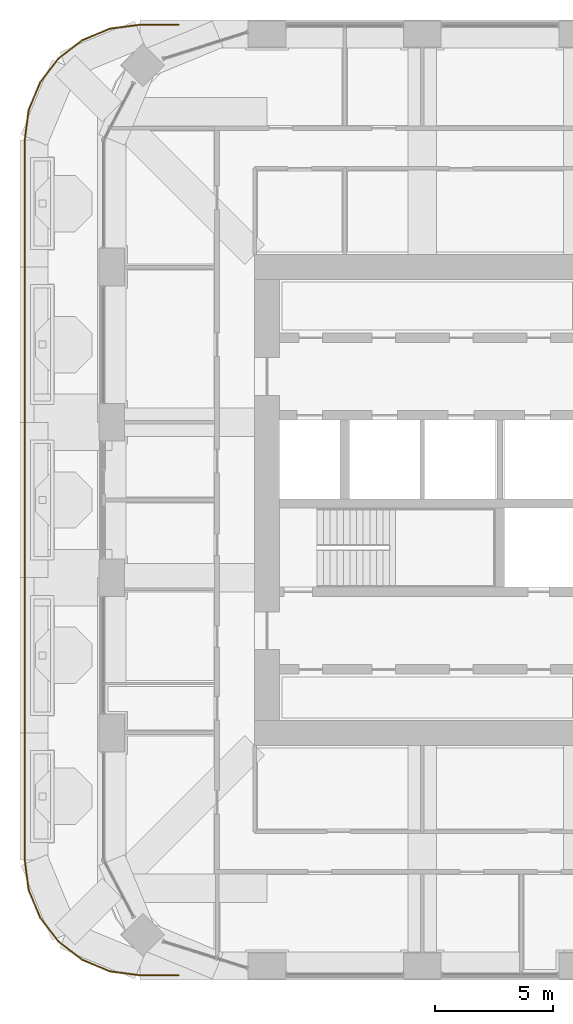
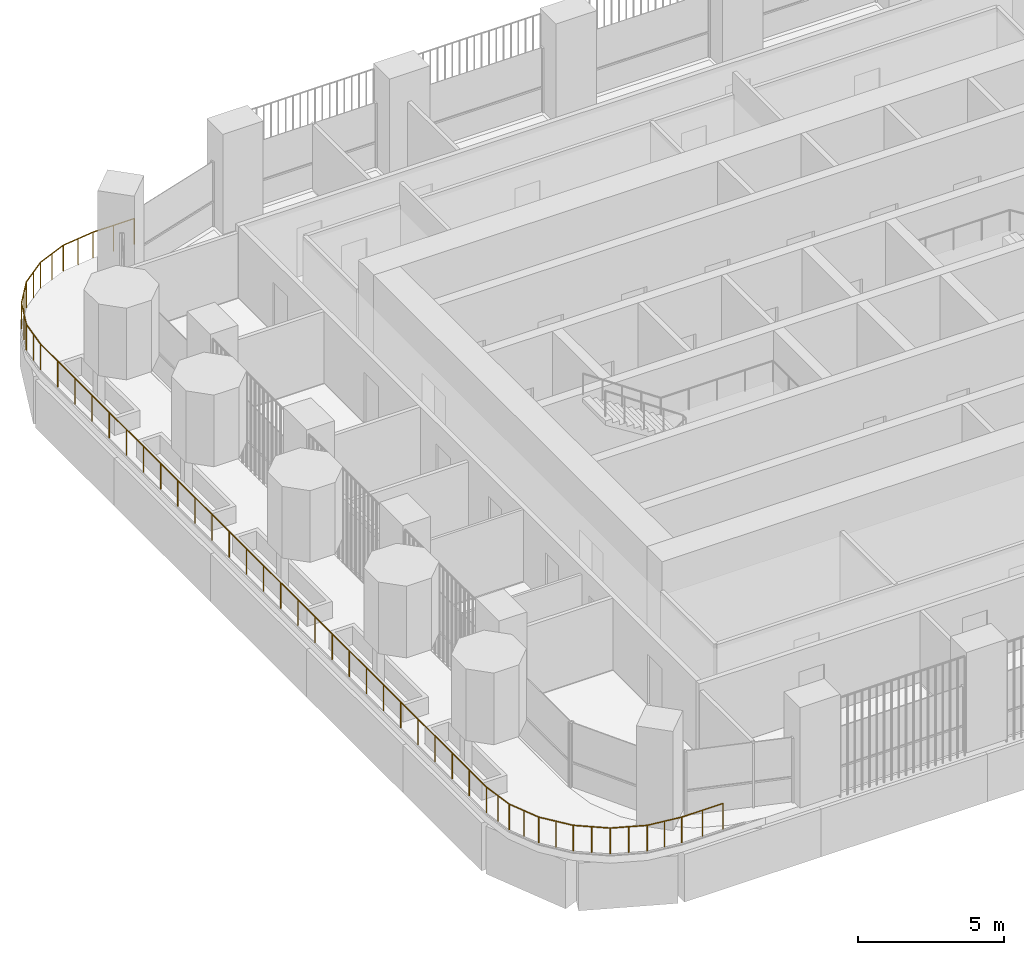
# One storey, part 19 of 24: 1 railing.
"""IFC4 building model written with IfcOpenShell, lengths in metres."""

import ifcopenshell
import ifcopenshell.guid

model = None  # the IFC model being written
_history = None  # IfcOwnerHistory: only IFC2X3 demands one
_inside = {}  # id of a spatial element -> (the spatial element, [elements in it])
_under = {}  # id of a project, library or spatial element -> (it, [spatial elements below it])
_declared = {}  # id of a project -> (the project, [libraries it declares])
_typed = {}  # id of a type object -> (the type object, [elements of that type])
_made_of = {}  # id of a material, layer set ... -> (it, [elements and type objects made of it])


def new_model(schema):
    """Start an empty IFC model of exactly this schema.

    Asked for "IFC4X3", IfcOpenShell would pick the latest addendum, in which some entities
    have other attributes; the version numbers below select the first issue.
    IFC2X3 requires an IfcOwnerHistory on every rooted entity: one is made here for all.
    """
    global model, _history
    if schema == "IFC4X3":
        model = ifcopenshell.file(schema_version=(4, 3, 0, 0))
    else:
        model = ifcopenshell.file(schema=schema)
    _inside.clear()
    _under.clear()
    _declared.clear()
    _typed.clear()
    _made_of.clear()
    _history = None
    if model.schema == "IFC2X3":
        org = make("IfcOrganization", Name="unknown")
        user = make(
            "IfcPersonAndOrganization",
            ThePerson=make("IfcPerson", FamilyName="unknown"),
            TheOrganization=org,
        )
        app = make(
            "IfcApplication",
            ApplicationDeveloper=org,
            Version="unknown",
            ApplicationFullName="unknown",
            ApplicationIdentifier="unknown",
        )
        _history = make(
            "IfcOwnerHistory",
            OwningUser=user,
            OwningApplication=app,
            ChangeAction="ADDED",
            CreationDate=0,
        )
    return model


def make(cls, **values):
    """One entity of the class cls with the attributes given. An attribute that is None is left unset."""
    return model.create_entity(
        cls, **{name: value for name, value in values.items() if value is not None}
    )


def rooted(cls, **values):
    """An entity with a GlobalId (a new one), such as an element, a storey or a relation."""
    return make(cls, GlobalId=ifcopenshell.guid.new(), OwnerHistory=_history, **values)


def si_unit(unit_type, name, prefix=None):
    """IfcSIUnit, for example si_unit("LENGTHUNIT", "METRE", prefix="MILLI")."""
    return make("IfcSIUnit", UnitType=unit_type, Prefix=prefix, Name=name)


def assignment(units):
    """IfcUnitAssignment: the units of a project."""
    return None if units is None else make("IfcUnitAssignment", Units=units)


def point(xyz):
    """IfcCartesianPoint."""
    return None if xyz is None else make("IfcCartesianPoint", Coordinates=xyz)


def direction(xyz):
    """IfcDirection."""
    return None if xyz is None else make("IfcDirection", DirectionRatios=xyz)


def frame(location, z_axis=None, x_axis=None):
    """IfcAxis2Placement3D, a coordinate frame: its origin and axes. An axis left out is left unset."""
    return make(
        "IfcAxis2Placement3D",
        Location=point(location),
        Axis=direction(z_axis),
        RefDirection=direction(x_axis),
    )


def origin():
    """The frame at (0, 0, 0) with its axes left unset."""
    return frame((0.0, 0.0, 0.0))


def place(relative_to, where):
    """IfcLocalPlacement: puts the frame where relative to a parent placement (None: the world)."""
    return make(
        "IfcLocalPlacement", PlacementRelTo=relative_to, RelativePlacement=where
    )


def context(
    kind, dimensions, precision=None, world=None, true_north=None, identifier=None
):
    """IfcGeometricRepresentationContext, for example the 3D "Model" context."""
    return make(
        "IfcGeometricRepresentationContext",
        ContextIdentifier=identifier,
        ContextType=kind,
        CoordinateSpaceDimension=dimensions,
        Precision=precision,
        WorldCoordinateSystem=world,
        TrueNorth=true_north,
    )


def subcontext(parent, identifier, kind, view, scale=None):
    """IfcGeometricRepresentationSubContext, for example "Body" below "Model"."""
    return make(
        "IfcGeometricRepresentationSubContext",
        ContextIdentifier=identifier,
        ContextType=kind,
        ParentContext=parent,
        TargetScale=scale,
        TargetView=view,
    )


def project(units=None, contexts=None):
    """IfcProject with its units and contexts."""
    return rooted(
        "IfcProject",
        Name="project",
        RepresentationContexts=contexts,
        UnitsInContext=assignment(units),
    )


def spatial(cls, under=None, at=None, **own):
    """A site, building, storey or space (cls), placed at a placement, below another one or the project."""
    s = rooted(cls, ObjectPlacement=at, **own)
    if under is not None:
        _under.setdefault(under.id(), (under, []))[1].append(s)
    return s


def polyline(points):
    """IfcPolyline through the points."""
    return make("IfcPolyline", Points=[point(p) for p in points])


def outline(outer, holes=None, kind="AREA"):
    """IfcArbitraryClosedProfileDef: a profile drawn as a closed curve; with holes, ...WithVoids."""
    if holes is None:
        return make("IfcArbitraryClosedProfileDef", ProfileType=kind, OuterCurve=outer)
    return make(
        "IfcArbitraryProfileDefWithVoids",
        ProfileType=kind,
        OuterCurve=outer,
        InnerCurves=holes,
    )


def extrude(swept, where, along, depth):
    """IfcExtrudedAreaSolid: the profile swept, set in the frame where, extruded along a direction by depth."""
    return make(
        "IfcExtrudedAreaSolid",
        SweptArea=swept,
        Position=where,
        ExtrudedDirection=direction(along),
        Depth=depth,
    )


def shape(context_of_items, identifier, shape_type, items):
    """IfcShapeRepresentation: the items that make up one representation, for example the "Body"."""
    return make(
        "IfcShapeRepresentation",
        ContextOfItems=context_of_items,
        RepresentationIdentifier=identifier,
        RepresentationType=shape_type,
        Items=items,
    )


def material(Name=None, Category=None):
    """IfcMaterial."""
    return make("IfcMaterial", Name=Name, Category=Category)


def made_of(thing, what):
    """Note that an element or type object is made of a material, layer set ...; save() writes the relation."""
    if what is not None:
        _made_of.setdefault(what.id(), (what, []))[1].append(thing)
    return thing


def type_object(cls, material=None, **own):
    """A type object (cls), such as IfcWallType, which elements share."""
    return made_of(rooted(cls, **own), material)


def element(
    cls,
    number,
    at=None,
    inside=None,
    cuts=None,
    type_object=None,
    material=None,
    context=None,
    identifier="Body",
    shape_type=None,
    held_by="IfcProductDefinitionShape",
    body=None,
    shapes=None,
    **own,
):
    """One element of the class cls, such as IfcWall. Its Tag is "e" and its number.

    at: its placement. inside: the storey or other place that contains it. cuts: it is an
    opening in that element (IfcRelVoidsElement). A single representation is given by context,
    identifier, shape_type and body (its items); several are given by shapes. held_by: the class
    of the entity that holds the representations. save() writes the other relations.
    """
    e = rooted(cls, Tag="e%d" % number, ObjectPlacement=at, **own)
    if body is not None:
        shapes = [shape(context, identifier, shape_type, body)]
    if shapes is not None:
        e.Representation = make(held_by, Representations=shapes)
    if inside is not None:
        _inside.setdefault(inside.id(), (inside, []))[1].append(e)
    if cuts is not None:
        rooted(
            "IfcRelVoidsElement", RelatingBuildingElement=cuts, RelatedOpeningElement=e
        )
    if type_object is not None:
        _typed.setdefault(type_object.id(), (type_object, []))[1].append(e)
    return made_of(e, material)


def aggregate(whole, parts):
    """IfcRelAggregates: a whole, such as a stair, and the parts it consists of."""
    return rooted("IfcRelAggregates", RelatingObject=whole, RelatedObjects=parts)


def save(model, path):
    """Write the relations noted so far, then the file.

    IfcRelAggregates (storeys below a building ...), IfcRelContainedInSpatialStructure (elements
    in a storey), IfcRelDefinesByType, IfcRelAssociatesMaterial and IfcRelDeclares: one each for
    every whole, place, type object, material and project.
    """
    for whole, parts in _under.values():
        aggregate(whole, parts)
    for where, things in _inside.values():
        rooted(
            "IfcRelContainedInSpatialStructure",
            RelatedElements=things,
            RelatingStructure=where,
        )
    for kind, things in _typed.values():
        rooted("IfcRelDefinesByType", RelatedObjects=things, RelatingType=kind)
    for what, things in _made_of.values():
        rooted("IfcRelAssociatesMaterial", RelatedObjects=things, RelatingMaterial=what)
    for by, libraries in _declared.values():
        rooted("IfcRelDeclares", RelatingContext=by, RelatedDefinitions=libraries)
    model.write(path)


model = new_model("IFC4")

# Units and contexts
model_context = context("Model", 3, precision=1e-05, world=origin(), true_north=direction((0.0, 1.0)))
body_context = subcontext(model_context, "Body", "Model", "MODEL_VIEW")
ifc_project = project(units=[si_unit("LENGTHUNIT", "METRE"), si_unit("AREAUNIT", "SQUARE_METRE"), si_unit("VOLUMEUNIT", "CUBIC_METRE"), si_unit("PLANEANGLEUNIT", "RADIAN"), si_unit("MASSUNIT", "GRAM", prefix="KILO")], contexts=[model_context])

# Site, building, storey
site_placement = place(None, origin())
site = spatial("IfcSite", under=ifc_project, at=site_placement, CompositionType="ELEMENT")
building_placement = place(site_placement, origin())
building = spatial("IfcBuilding", under=site, at=building_placement, Name="Cobogo Forest Laboratory Tower", CompositionType="ELEMENT")
storey_placement = place(building_placement, frame((0.0, 0.0, 229.199951171875)))
storey = spatial("IfcBuildingStorey", under=building, at=storey_placement, Name="L52", CompositionType="ELEMENT", Elevation=229.199951171875)

# Railing
ifc_material = material(Name="Laminated glass balustrade", Category="glass")
railing_type = type_object("IfcRailingType", Name="BG1 glass balustrade 1100", PredefinedType="GUARDRAIL", material=ifc_material)
railing_placement = place(storey_placement, frame((9.442138671875, 43.300048828125, 0.06005859375)))
element("IfcRailing", 1, at=railing_placement, inside=storey, type_object=railing_type, Name="Terrace balustrade TER-W L52", PredefinedType="GUARDRAIL", context=body_context, shape_type="SweptSolid", body=[
    extrude(outline(polyline([(0.022216796875, 0.00927734375), (0.00927734375, 0.022216796875), (-0.00927734375, 0.022216796875), (-0.022216796875, 0.00927734375), (-0.022216796875, -0.00927734375), (-0.00927734375, -0.022216796875), (0.00927734375, -0.022216796875), (0.022216796875, -0.00927734375), (0.022216796875, 0.00927734375)])), frame((0.0, 0.0, 1.077880859375), z_axis=(-1.0, 0.0, 0.0), x_axis=(0.0, -1.0, 0.0)), (0.0, 0.0, 1.0), 1.638916015625),
    extrude(outline(polyline([(0.022216796875, 0.00927734375), (0.00927734375, 0.022216796875), (-0.00927734375, 0.022216796875), (-0.022216796875, 0.00927734375), (-0.022216796875, -0.00927734375), (-0.00927734375, -0.022216796875), (0.00927734375, -0.022216796875), (0.022216796875, -0.00927734375), (0.022216796875, 0.00927734375)])), frame((-1.638916015625, 0.0, 1.077880859375), z_axis=(-0.991432895809, -0.130617047537, 0.0), x_axis=(0.130617047537, -0.991432895809, 0.0)), (0.0, 0.0, 1.0), 1.2822265625),
    extrude(outline(polyline([(0.022216796875, 0.00927734375), (0.00927734375, 0.022216796875), (-0.00927734375, 0.022216796875), (-0.022216796875, 0.00927734375), (-0.022216796875, -0.00927734375), (-0.00927734375, -0.022216796875), (0.00927734375, -0.022216796875), (0.022216796875, -0.00927734375), (0.022216796875, 0.00927734375)])), frame((-2.91015625, -0.16748046875, 1.077880859375), z_axis=(-0.923893556904, -0.382649572731, 0.0), x_axis=(0.382649572731, -0.923893556904, 0.0)), (0.0, 0.0, 1.0), 1.279296875),
    extrude(outline(polyline([(0.022216796875, 0.00927734375), (0.00927734375, 0.022216796875), (-0.00927734375, 0.022216796875), (-0.022216796875, 0.00927734375), (-0.022216796875, -0.00927734375), (-0.00927734375, -0.022216796875), (0.00927734375, -0.022216796875), (0.022216796875, -0.00927734375), (0.022216796875, 0.00927734375)])), frame((-4.092041015625, -0.656982421875, 1.077880859375), z_axis=(-0.793354350931, -0.608760111915, 0.0), x_axis=(0.608760111915, -0.793354350931, 0.0)), (0.0, 0.0, 1.0), 1.279052734375),
    extrude(outline(polyline([(0.022216796875, 0.00927734375), (0.00927734375, 0.022216796875), (-0.00927734375, 0.022216796875), (-0.022216796875, 0.00927734375), (-0.022216796875, -0.00927734375), (-0.00927734375, -0.022216796875), (0.00927734375, -0.022216796875), (0.022216796875, -0.00927734375), (0.022216796875, 0.00927734375)])), frame((-5.106689453125, -1.435546875, 1.077880859375), z_axis=(-0.608760111915, -0.793354350931, 0.0), x_axis=(0.793354350931, -0.608760111915, 0.0)), (0.0, 0.0, 1.0), 1.279052734375),
    extrude(outline(polyline([(0.022216796875, 0.00927734375), (0.00927734375, 0.022216796875), (-0.00927734375, 0.022216796875), (-0.022216796875, 0.00927734375), (-0.022216796875, -0.00927734375), (-0.00927734375, -0.022216796875), (0.00927734375, -0.022216796875), (0.022216796875, -0.00927734375), (0.022216796875, 0.00927734375)])), frame((-5.88525390625, -2.4501953125, 1.077880859375), z_axis=(-0.382717053503, -0.923865605463, 0.0), x_axis=(0.923865605463, -0.382717053503, 0.0)), (0.0, 0.0, 1.0), 1.279052734375),
    extrude(outline(polyline([(0.022216796875, 0.00927734375), (0.00927734375, 0.022216796875), (-0.00927734375, 0.022216796875), (-0.022216796875, 0.00927734375), (-0.022216796875, -0.00927734375), (-0.00927734375, -0.022216796875), (0.00927734375, -0.022216796875), (0.022216796875, -0.00927734375), (0.022216796875, 0.00927734375)])), frame((-6.374755859375, -3.6318359375, 1.077880859375), z_axis=(-0.130592395224, -0.991436143334, 0.0), x_axis=(0.991436143334, -0.130592395224, 0.0)), (0.0, 0.0, 1.0), 1.282470703125),
    extrude(outline(polyline([(0.022216796875, 0.00927734375), (0.00927734375, 0.022216796875), (-0.00927734375, 0.022216796875), (-0.022216796875, 0.00927734375), (-0.022216796875, -0.00927734375), (-0.00927734375, -0.022216796875), (0.00927734375, -0.022216796875), (0.022216796875, -0.00927734375), (0.022216796875, 0.00927734375)])), frame((-6.542236328125, -4.9033203125, 1.077880859375), z_axis=(0.0, -1.0, 0.0), x_axis=(1.0, 0.0, 0.0)), (0.0, 0.0, 1.0), 30.593505859375),
    extrude(outline(polyline([(0.022216796875, 0.00927734375), (0.00927734375, 0.022216796875), (-0.00927734375, 0.022216796875), (-0.022216796875, 0.00927734375), (-0.022216796875, -0.00927734375), (-0.00927734375, -0.022216796875), (0.00927734375, -0.022216796875), (0.022216796875, -0.00927734375), (0.022216796875, 0.00927734375)])), frame((-6.542236328125, -35.496826171875, 1.077880859375), z_axis=(0.130617047537, -0.991432895809, 0.0), x_axis=(0.991432895809, 0.130617047537, 0.0)), (0.0, 0.0, 1.0), 1.2822265625),
    extrude(outline(polyline([(0.022216796875, 0.00927734375), (0.00927734375, 0.022216796875), (-0.00927734375, 0.022216796875), (-0.022216796875, 0.00927734375), (-0.022216796875, -0.00927734375), (-0.00927734375, -0.022216796875), (0.00927734375, -0.022216796875), (0.022216796875, -0.00927734375), (0.022216796875, 0.00927734375)])), frame((-6.374755859375, -36.76806640625, 1.077880859375), z_axis=(0.382649572731, -0.923893556904, 0.0), x_axis=(0.923893556904, 0.382649572731, 0.0)), (0.0, 0.0, 1.0), 1.279296875),
    extrude(outline(polyline([(0.022216796875, 0.00927734375), (0.00927734375, 0.022216796875), (-0.00927734375, 0.022216796875), (-0.022216796875, 0.00927734375), (-0.022216796875, -0.00927734375), (-0.00927734375, -0.022216796875), (0.00927734375, -0.022216796875), (0.022216796875, -0.00927734375), (0.022216796875, 0.00927734375)])), frame((-5.88525390625, -37.949951171875, 1.077880859375), z_axis=(0.608760111915, -0.793354350931, 0.0), x_axis=(0.793354350931, 0.608760111915, 0.0)), (0.0, 0.0, 1.0), 1.279052734375),
    extrude(outline(polyline([(0.022216796875, 0.00927734375), (0.00927734375, 0.022216796875), (-0.00927734375, 0.022216796875), (-0.022216796875, 0.00927734375), (-0.022216796875, -0.00927734375), (-0.00927734375, -0.022216796875), (0.00927734375, -0.022216796875), (0.022216796875, -0.00927734375), (0.022216796875, 0.00927734375)])), frame((-5.106689453125, -38.964599609375, 1.077880859375), z_axis=(0.793354350931, -0.608760111915, 0.0), x_axis=(0.608760111915, 0.793354350931, 0.0)), (0.0, 0.0, 1.0), 1.279052734375),
    extrude(outline(polyline([(0.022216796875, 0.00927734375), (0.00927734375, 0.022216796875), (-0.00927734375, 0.022216796875), (-0.022216796875, 0.00927734375), (-0.022216796875, -0.00927734375), (-0.00927734375, -0.022216796875), (0.00927734375, -0.022216796875), (0.022216796875, -0.00927734375), (0.022216796875, 0.00927734375)])), frame((-4.092041015625, -39.7431640625, 1.077880859375), z_axis=(0.923893556904, -0.382649572731, 0.0), x_axis=(0.382649572731, 0.923893556904, 0.0)), (0.0, 0.0, 1.0), 1.279296875),
    extrude(outline(polyline([(0.022216796875, 0.00927734375), (0.00927734375, 0.022216796875), (-0.00927734375, 0.022216796875), (-0.022216796875, 0.00927734375), (-0.022216796875, -0.00927734375), (-0.00927734375, -0.022216796875), (0.00927734375, -0.022216796875), (0.022216796875, -0.00927734375), (0.022216796875, 0.00927734375)])), frame((-2.91015625, -40.232666015625, 1.077880859375), z_axis=(0.991432895809, -0.130617047537, 0.0), x_axis=(0.130617047537, 0.991432895809, 0.0)), (0.0, 0.0, 1.0), 1.2822265625),
    extrude(outline(polyline([(0.022216796875, 0.00927734375), (0.00927734375, 0.022216796875), (-0.00927734375, 0.022216796875), (-0.022216796875, 0.00927734375), (-0.022216796875, -0.00927734375), (-0.00927734375, -0.022216796875), (0.00927734375, -0.022216796875), (0.022216796875, -0.00927734375), (0.022216796875, 0.00927734375)])), frame((-1.638916015625, -40.400146484375, 1.077880859375), z_axis=(1.0, 0.0, 0.0), x_axis=(0.0, 1.0, 0.0)), (0.0, 0.0, 1.0), 1.638916015625),
    extrude(outline(polyline([(0.019287109375, 0.008056640625), (0.008056640625, 0.019287109375), (-0.008056640625, 0.019287109375), (-0.019287109375, 0.008056640625), (-0.019287109375, -0.008056640625), (-0.008056640625, -0.019287109375), (0.008056640625, -0.019287109375), (0.019287109375, -0.008056640625), (0.019287109375, 0.008056640625)])), origin(), (0.0, 0.0, 1.0), 1.077880859375),
    extrude(outline(polyline([(0.019287109375, 0.008056640625), (0.008056640625, 0.019287109375), (-0.008056640625, 0.019287109375), (-0.019287109375, 0.008056640625), (-0.019287109375, -0.008056640625), (-0.008056640625, -0.019287109375), (0.008056640625, -0.019287109375), (0.019287109375, -0.008056640625), (0.019287109375, 0.008056640625)])), frame((-0.8193359375, 0.0, 0.0)), (0.0, 0.0, 1.0), 1.077880859375),
    extrude(outline(polyline([(0.019287109375, 0.008056640625), (0.008056640625, 0.019287109375), (-0.008056640625, 0.019287109375), (-0.019287109375, 0.008056640625), (-0.019287109375, -0.008056640625), (-0.008056640625, -0.019287109375), (0.008056640625, -0.019287109375), (0.019287109375, -0.008056640625), (0.019287109375, 0.008056640625)])), frame((-1.638916015625, 0.0, 0.0)), (0.0, 0.0, 1.0), 1.077880859375),
    extrude(outline(polyline([(0.019287109375, 0.008056640625), (0.008056640625, 0.019287109375), (-0.008056640625, 0.019287109375), (-0.019287109375, 0.008056640625), (-0.019287109375, -0.008056640625), (-0.008056640625, -0.019287109375), (0.008056640625, -0.019287109375), (0.019287109375, -0.008056640625), (0.019287109375, 0.008056640625)])), frame((-2.2744140625, -0.083740234375, 0.0)), (0.0, 0.0, 1.0), 1.077880859375),
    extrude(outline(polyline([(0.019287109375, 0.008056640625), (0.008056640625, 0.019287109375), (-0.008056640625, 0.019287109375), (-0.019287109375, 0.008056640625), (-0.019287109375, -0.008056640625), (-0.008056640625, -0.019287109375), (0.008056640625, -0.019287109375), (0.019287109375, -0.008056640625), (0.019287109375, 0.008056640625)])), frame((-2.91015625, -0.16748046875, 0.0)), (0.0, 0.0, 1.0), 1.077880859375),
    extrude(outline(polyline([(0.019287109375, 0.008056640625), (0.008056640625, 0.019287109375), (-0.008056640625, 0.019287109375), (-0.019287109375, 0.008056640625), (-0.019287109375, -0.008056640625), (-0.008056640625, -0.019287109375), (0.008056640625, -0.019287109375), (0.019287109375, -0.008056640625), (0.019287109375, 0.008056640625)])), frame((-3.5009765625, -0.412109375, 0.0)), (0.0, 0.0, 1.0), 1.077880859375),
    extrude(outline(polyline([(0.019287109375, 0.008056640625), (0.008056640625, 0.019287109375), (-0.008056640625, 0.019287109375), (-0.019287109375, 0.008056640625), (-0.019287109375, -0.008056640625), (-0.008056640625, -0.019287109375), (0.008056640625, -0.019287109375), (0.019287109375, -0.008056640625), (0.019287109375, 0.008056640625)])), frame((-4.092041015625, -0.656982421875, 0.0)), (0.0, 0.0, 1.0), 1.077880859375),
    extrude(outline(polyline([(0.019287109375, 0.008056640625), (0.008056640625, 0.019287109375), (-0.008056640625, 0.019287109375), (-0.019287109375, 0.008056640625), (-0.019287109375, -0.008056640625), (-0.008056640625, -0.019287109375), (0.008056640625, -0.019287109375), (0.019287109375, -0.008056640625), (0.019287109375, 0.008056640625)])), frame((-4.599365234375, -1.04638671875, 0.0)), (0.0, 0.0, 1.0), 1.077880859375),
    extrude(outline(polyline([(0.019287109375, 0.008056640625), (0.008056640625, 0.019287109375), (-0.008056640625, 0.019287109375), (-0.019287109375, 0.008056640625), (-0.019287109375, -0.008056640625), (-0.008056640625, -0.019287109375), (0.008056640625, -0.019287109375), (0.019287109375, -0.008056640625), (0.019287109375, 0.008056640625)])), frame((-5.106689453125, -1.435546875, 0.0)), (0.0, 0.0, 1.0), 1.077880859375),
    extrude(outline(polyline([(0.019287109375, 0.008056640625), (0.008056640625, 0.019287109375), (-0.008056640625, 0.019287109375), (-0.019287109375, 0.008056640625), (-0.019287109375, -0.008056640625), (-0.008056640625, -0.019287109375), (0.008056640625, -0.019287109375), (0.019287109375, -0.008056640625), (0.019287109375, 0.008056640625)])), frame((-5.49609375, -1.94287109375, 0.0)), (0.0, 0.0, 1.0), 1.077880859375),
    extrude(outline(polyline([(0.019287109375, 0.008056640625), (0.008056640625, 0.019287109375), (-0.008056640625, 0.019287109375), (-0.019287109375, 0.008056640625), (-0.019287109375, -0.008056640625), (-0.008056640625, -0.019287109375), (0.008056640625, -0.019287109375), (0.019287109375, -0.008056640625), (0.019287109375, 0.008056640625)])), frame((-5.88525390625, -2.4501953125, 0.0)), (0.0, 0.0, 1.0), 1.077880859375),
    extrude(outline(polyline([(0.019287109375, 0.008056640625), (0.008056640625, 0.019287109375), (-0.008056640625, 0.019287109375), (-0.019287109375, 0.008056640625), (-0.019287109375, -0.008056640625), (-0.008056640625, -0.019287109375), (0.008056640625, -0.019287109375), (0.019287109375, -0.008056640625), (0.019287109375, 0.008056640625)])), frame((-6.1298828125, -3.041015625, 0.0)), (0.0, 0.0, 1.0), 1.077880859375),
    extrude(outline(polyline([(0.019287109375, 0.008056640625), (0.008056640625, 0.019287109375), (-0.008056640625, 0.019287109375), (-0.019287109375, 0.008056640625), (-0.019287109375, -0.008056640625), (-0.008056640625, -0.019287109375), (0.008056640625, -0.019287109375), (0.019287109375, -0.008056640625), (0.019287109375, 0.008056640625)])), frame((-6.374755859375, -3.6318359375, 0.0)), (0.0, 0.0, 1.0), 1.077880859375),
    extrude(outline(polyline([(0.019287109375, 0.008056640625), (0.008056640625, 0.019287109375), (-0.008056640625, 0.019287109375), (-0.019287109375, 0.008056640625), (-0.019287109375, -0.008056640625), (-0.008056640625, -0.019287109375), (0.008056640625, -0.019287109375), (0.019287109375, -0.008056640625), (0.019287109375, 0.008056640625)])), frame((-6.45849609375, -4.267578125, 0.0)), (0.0, 0.0, 1.0), 1.077880859375),
    extrude(outline(polyline([(0.019287109375, 0.008056640625), (0.008056640625, 0.019287109375), (-0.008056640625, 0.019287109375), (-0.019287109375, 0.008056640625), (-0.019287109375, -0.008056640625), (-0.008056640625, -0.019287109375), (0.008056640625, -0.019287109375), (0.019287109375, -0.008056640625), (0.019287109375, 0.008056640625)])), frame((-6.542236328125, -4.9033203125, 0.0)), (0.0, 0.0, 1.0), 1.077880859375),
    extrude(outline(polyline([(0.019287109375, 0.008056640625), (0.008056640625, 0.019287109375), (-0.008056640625, 0.019287109375), (-0.019287109375, 0.008056640625), (-0.019287109375, -0.008056640625), (-0.008056640625, -0.019287109375), (0.008056640625, -0.019287109375), (0.019287109375, -0.008056640625), (0.019287109375, 0.008056640625)])), frame((-6.542236328125, -6.080078125, 0.0)), (0.0, 0.0, 1.0), 1.077880859375),
    extrude(outline(polyline([(0.019287109375, 0.008056640625), (0.008056640625, 0.019287109375), (-0.008056640625, 0.019287109375), (-0.019287109375, 0.008056640625), (-0.019287109375, -0.008056640625), (-0.008056640625, -0.019287109375), (0.008056640625, -0.019287109375), (0.019287109375, -0.008056640625), (0.019287109375, 0.008056640625)])), frame((-6.542236328125, -7.256591796875, 0.0)), (0.0, 0.0, 1.0), 1.077880859375),
    extrude(outline(polyline([(0.019287109375, 0.008056640625), (0.008056640625, 0.019287109375), (-0.008056640625, 0.019287109375), (-0.019287109375, 0.008056640625), (-0.019287109375, -0.008056640625), (-0.008056640625, -0.019287109375), (0.008056640625, -0.019287109375), (0.019287109375, -0.008056640625), (0.019287109375, 0.008056640625)])), frame((-6.542236328125, -8.433349609375, 0.0)), (0.0, 0.0, 1.0), 1.077880859375),
    extrude(outline(polyline([(0.019287109375, 0.008056640625), (0.008056640625, 0.019287109375), (-0.008056640625, 0.019287109375), (-0.019287109375, 0.008056640625), (-0.019287109375, -0.008056640625), (-0.008056640625, -0.019287109375), (0.008056640625, -0.019287109375), (0.019287109375, -0.008056640625), (0.019287109375, 0.008056640625)])), frame((-6.542236328125, -9.610107421875, 0.0)), (0.0, 0.0, 1.0), 1.077880859375),
    extrude(outline(polyline([(0.019287109375, 0.008056640625), (0.008056640625, 0.019287109375), (-0.008056640625, 0.019287109375), (-0.019287109375, 0.008056640625), (-0.019287109375, -0.008056640625), (-0.008056640625, -0.019287109375), (0.008056640625, -0.019287109375), (0.019287109375, -0.008056640625), (0.019287109375, 0.008056640625)])), frame((-6.542236328125, -10.78662109375, 0.0)), (0.0, 0.0, 1.0), 1.077880859375),
    extrude(outline(polyline([(0.019287109375, 0.008056640625), (0.008056640625, 0.019287109375), (-0.008056640625, 0.019287109375), (-0.019287109375, 0.008056640625), (-0.019287109375, -0.008056640625), (-0.008056640625, -0.019287109375), (0.008056640625, -0.019287109375), (0.019287109375, -0.008056640625), (0.019287109375, 0.008056640625)])), frame((-6.542236328125, -11.96337890625, 0.0)), (0.0, 0.0, 1.0), 1.077880859375),
    extrude(outline(polyline([(0.019287109375, 0.008056640625), (0.008056640625, 0.019287109375), (-0.008056640625, 0.019287109375), (-0.019287109375, 0.008056640625), (-0.019287109375, -0.008056640625), (-0.008056640625, -0.019287109375), (0.008056640625, -0.019287109375), (0.019287109375, -0.008056640625), (0.019287109375, 0.008056640625)])), frame((-6.542236328125, -13.14013671875, 0.0)), (0.0, 0.0, 1.0), 1.077880859375),
    extrude(outline(polyline([(0.019287109375, 0.008056640625), (0.008056640625, 0.019287109375), (-0.008056640625, 0.019287109375), (-0.019287109375, 0.008056640625), (-0.019287109375, -0.008056640625), (-0.008056640625, -0.019287109375), (0.008056640625, -0.019287109375), (0.019287109375, -0.008056640625), (0.019287109375, 0.008056640625)])), frame((-6.542236328125, -14.316650390625, 0.0)), (0.0, 0.0, 1.0), 1.077880859375),
    extrude(outline(polyline([(0.019287109375, 0.008056640625), (0.008056640625, 0.019287109375), (-0.008056640625, 0.019287109375), (-0.019287109375, 0.008056640625), (-0.019287109375, -0.008056640625), (-0.008056640625, -0.019287109375), (0.008056640625, -0.019287109375), (0.019287109375, -0.008056640625), (0.019287109375, 0.008056640625)])), frame((-6.542236328125, -15.493408203125, 0.0)), (0.0, 0.0, 1.0), 1.077880859375),
    extrude(outline(polyline([(0.019287109375, 0.008056640625), (0.008056640625, 0.019287109375), (-0.008056640625, 0.019287109375), (-0.019287109375, 0.008056640625), (-0.019287109375, -0.008056640625), (-0.008056640625, -0.019287109375), (0.008056640625, -0.019287109375), (0.019287109375, -0.008056640625), (0.019287109375, 0.008056640625)])), frame((-6.542236328125, -16.670166015625, 0.0)), (0.0, 0.0, 1.0), 1.077880859375),
    extrude(outline(polyline([(0.019287109375, 0.008056640625), (0.008056640625, 0.019287109375), (-0.008056640625, 0.019287109375), (-0.019287109375, 0.008056640625), (-0.019287109375, -0.008056640625), (-0.008056640625, -0.019287109375), (0.008056640625, -0.019287109375), (0.019287109375, -0.008056640625), (0.019287109375, 0.008056640625)])), frame((-6.542236328125, -17.8466796875, 0.0)), (0.0, 0.0, 1.0), 1.077880859375),
    extrude(outline(polyline([(0.019287109375, 0.008056640625), (0.008056640625, 0.019287109375), (-0.008056640625, 0.019287109375), (-0.019287109375, 0.008056640625), (-0.019287109375, -0.008056640625), (-0.008056640625, -0.019287109375), (0.008056640625, -0.019287109375), (0.019287109375, -0.008056640625), (0.019287109375, 0.008056640625)])), frame((-6.542236328125, -19.0234375, 0.0)), (0.0, 0.0, 1.0), 1.077880859375),
    extrude(outline(polyline([(0.019287109375, 0.008056640625), (0.008056640625, 0.019287109375), (-0.008056640625, 0.019287109375), (-0.019287109375, 0.008056640625), (-0.019287109375, -0.008056640625), (-0.008056640625, -0.019287109375), (0.008056640625, -0.019287109375), (0.019287109375, -0.008056640625), (0.019287109375, 0.008056640625)])), frame((-6.542236328125, -20.2001953125, 0.0)), (0.0, 0.0, 1.0), 1.077880859375),
    extrude(outline(polyline([(0.019287109375, 0.008056640625), (0.008056640625, 0.019287109375), (-0.008056640625, 0.019287109375), (-0.019287109375, 0.008056640625), (-0.019287109375, -0.008056640625), (-0.008056640625, -0.019287109375), (0.008056640625, -0.019287109375), (0.019287109375, -0.008056640625), (0.019287109375, 0.008056640625)])), frame((-6.542236328125, -21.376708984375, 0.0)), (0.0, 0.0, 1.0), 1.077880859375),
    extrude(outline(polyline([(0.019287109375, 0.008056640625), (0.008056640625, 0.019287109375), (-0.008056640625, 0.019287109375), (-0.019287109375, 0.008056640625), (-0.019287109375, -0.008056640625), (-0.008056640625, -0.019287109375), (0.008056640625, -0.019287109375), (0.019287109375, -0.008056640625), (0.019287109375, 0.008056640625)])), frame((-6.542236328125, -22.553466796875, 0.0)), (0.0, 0.0, 1.0), 1.077880859375),
    extrude(outline(polyline([(0.019287109375, 0.008056640625), (0.008056640625, 0.019287109375), (-0.008056640625, 0.019287109375), (-0.019287109375, 0.008056640625), (-0.019287109375, -0.008056640625), (-0.008056640625, -0.019287109375), (0.008056640625, -0.019287109375), (0.019287109375, -0.008056640625), (0.019287109375, 0.008056640625)])), frame((-6.542236328125, -23.72998046875, 0.0)), (0.0, 0.0, 1.0), 1.077880859375),
    extrude(outline(polyline([(0.019287109375, 0.008056640625), (0.008056640625, 0.019287109375), (-0.008056640625, 0.019287109375), (-0.019287109375, 0.008056640625), (-0.019287109375, -0.008056640625), (-0.008056640625, -0.019287109375), (0.008056640625, -0.019287109375), (0.019287109375, -0.008056640625), (0.019287109375, 0.008056640625)])), frame((-6.542236328125, -24.90673828125, 0.0)), (0.0, 0.0, 1.0), 1.077880859375),
    extrude(outline(polyline([(0.019287109375, 0.008056640625), (0.008056640625, 0.019287109375), (-0.008056640625, 0.019287109375), (-0.019287109375, 0.008056640625), (-0.019287109375, -0.008056640625), (-0.008056640625, -0.019287109375), (0.008056640625, -0.019287109375), (0.019287109375, -0.008056640625), (0.019287109375, 0.008056640625)])), frame((-6.542236328125, -26.08349609375, 0.0)), (0.0, 0.0, 1.0), 1.077880859375),
    extrude(outline(polyline([(0.019287109375, 0.008056640625), (0.008056640625, 0.019287109375), (-0.008056640625, 0.019287109375), (-0.019287109375, 0.008056640625), (-0.019287109375, -0.008056640625), (-0.008056640625, -0.019287109375), (0.008056640625, -0.019287109375), (0.019287109375, -0.008056640625), (0.019287109375, 0.008056640625)])), frame((-6.542236328125, -27.260009765625, 0.0)), (0.0, 0.0, 1.0), 1.077880859375),
    extrude(outline(polyline([(0.019287109375, 0.008056640625), (0.008056640625, 0.019287109375), (-0.008056640625, 0.019287109375), (-0.019287109375, 0.008056640625), (-0.019287109375, -0.008056640625), (-0.008056640625, -0.019287109375), (0.008056640625, -0.019287109375), (0.019287109375, -0.008056640625), (0.019287109375, 0.008056640625)])), frame((-6.542236328125, -28.436767578125, 0.0)), (0.0, 0.0, 1.0), 1.077880859375),
    extrude(outline(polyline([(0.019287109375, 0.008056640625), (0.008056640625, 0.019287109375), (-0.008056640625, 0.019287109375), (-0.019287109375, 0.008056640625), (-0.019287109375, -0.008056640625), (-0.008056640625, -0.019287109375), (0.008056640625, -0.019287109375), (0.019287109375, -0.008056640625), (0.019287109375, 0.008056640625)])), frame((-6.542236328125, -29.613525390625, 0.0)), (0.0, 0.0, 1.0), 1.077880859375),
    extrude(outline(polyline([(0.019287109375, 0.008056640625), (0.008056640625, 0.019287109375), (-0.008056640625, 0.019287109375), (-0.019287109375, 0.008056640625), (-0.019287109375, -0.008056640625), (-0.008056640625, -0.019287109375), (0.008056640625, -0.019287109375), (0.019287109375, -0.008056640625), (0.019287109375, 0.008056640625)])), frame((-6.542236328125, -30.7900390625, 0.0)), (0.0, 0.0, 1.0), 1.077880859375),
    extrude(outline(polyline([(0.019287109375, 0.008056640625), (0.008056640625, 0.019287109375), (-0.008056640625, 0.019287109375), (-0.019287109375, 0.008056640625), (-0.019287109375, -0.008056640625), (-0.008056640625, -0.019287109375), (0.008056640625, -0.019287109375), (0.019287109375, -0.008056640625), (0.019287109375, 0.008056640625)])), frame((-6.542236328125, -31.966796875, 0.0)), (0.0, 0.0, 1.0), 1.077880859375),
    extrude(outline(polyline([(0.019287109375, 0.008056640625), (0.008056640625, 0.019287109375), (-0.008056640625, 0.019287109375), (-0.019287109375, 0.008056640625), (-0.019287109375, -0.008056640625), (-0.008056640625, -0.019287109375), (0.008056640625, -0.019287109375), (0.019287109375, -0.008056640625), (0.019287109375, 0.008056640625)])), frame((-6.542236328125, -33.1435546875, 0.0)), (0.0, 0.0, 1.0), 1.077880859375),
    extrude(outline(polyline([(0.019287109375, 0.008056640625), (0.008056640625, 0.019287109375), (-0.008056640625, 0.019287109375), (-0.019287109375, 0.008056640625), (-0.019287109375, -0.008056640625), (-0.008056640625, -0.019287109375), (0.008056640625, -0.019287109375), (0.019287109375, -0.008056640625), (0.019287109375, 0.008056640625)])), frame((-6.542236328125, -34.320068359375, 0.0)), (0.0, 0.0, 1.0), 1.077880859375),
    extrude(outline(polyline([(0.019287109375, 0.008056640625), (0.008056640625, 0.019287109375), (-0.008056640625, 0.019287109375), (-0.019287109375, 0.008056640625), (-0.019287109375, -0.008056640625), (-0.008056640625, -0.019287109375), (0.008056640625, -0.019287109375), (0.019287109375, -0.008056640625), (0.019287109375, 0.008056640625)])), frame((-6.542236328125, -35.496826171875, 0.0)), (0.0, 0.0, 1.0), 1.077880859375),
    extrude(outline(polyline([(0.019287109375, 0.008056640625), (0.008056640625, 0.019287109375), (-0.008056640625, 0.019287109375), (-0.019287109375, 0.008056640625), (-0.019287109375, -0.008056640625), (-0.008056640625, -0.019287109375), (0.008056640625, -0.019287109375), (0.019287109375, -0.008056640625), (0.019287109375, 0.008056640625)])), frame((-6.45849609375, -36.13232421875, 0.0)), (0.0, 0.0, 1.0), 1.077880859375),
    extrude(outline(polyline([(0.019287109375, 0.008056640625), (0.008056640625, 0.019287109375), (-0.008056640625, 0.019287109375), (-0.019287109375, 0.008056640625), (-0.019287109375, -0.008056640625), (-0.008056640625, -0.019287109375), (0.008056640625, -0.019287109375), (0.019287109375, -0.008056640625), (0.019287109375, 0.008056640625)])), frame((-6.374755859375, -36.76806640625, 0.0)), (0.0, 0.0, 1.0), 1.077880859375),
    extrude(outline(polyline([(0.019287109375, 0.008056640625), (0.008056640625, 0.019287109375), (-0.008056640625, 0.019287109375), (-0.019287109375, 0.008056640625), (-0.019287109375, -0.008056640625), (-0.008056640625, -0.019287109375), (0.008056640625, -0.019287109375), (0.019287109375, -0.008056640625), (0.019287109375, 0.008056640625)])), frame((-6.1298828125, -37.35888671875, 0.0)), (0.0, 0.0, 1.0), 1.077880859375),
    extrude(outline(polyline([(0.019287109375, 0.008056640625), (0.008056640625, 0.019287109375), (-0.008056640625, 0.019287109375), (-0.019287109375, 0.008056640625), (-0.019287109375, -0.008056640625), (-0.008056640625, -0.019287109375), (0.008056640625, -0.019287109375), (0.019287109375, -0.008056640625), (0.019287109375, 0.008056640625)])), frame((-5.88525390625, -37.949951171875, 0.0)), (0.0, 0.0, 1.0), 1.077880859375),
    extrude(outline(polyline([(0.019287109375, 0.008056640625), (0.008056640625, 0.019287109375), (-0.008056640625, 0.019287109375), (-0.019287109375, 0.008056640625), (-0.019287109375, -0.008056640625), (-0.008056640625, -0.019287109375), (0.008056640625, -0.019287109375), (0.019287109375, -0.008056640625), (0.019287109375, 0.008056640625)])), frame((-5.49609375, -38.457275390625, 0.0)), (0.0, 0.0, 1.0), 1.077880859375),
    extrude(outline(polyline([(0.019287109375, 0.008056640625), (0.008056640625, 0.019287109375), (-0.008056640625, 0.019287109375), (-0.019287109375, 0.008056640625), (-0.019287109375, -0.008056640625), (-0.008056640625, -0.019287109375), (0.008056640625, -0.019287109375), (0.019287109375, -0.008056640625), (0.019287109375, 0.008056640625)])), frame((-5.106689453125, -38.964599609375, 0.0)), (0.0, 0.0, 1.0), 1.077880859375),
    extrude(outline(polyline([(0.019287109375, 0.008056640625), (0.008056640625, 0.019287109375), (-0.008056640625, 0.019287109375), (-0.019287109375, 0.008056640625), (-0.019287109375, -0.008056640625), (-0.008056640625, -0.019287109375), (0.008056640625, -0.019287109375), (0.019287109375, -0.008056640625), (0.019287109375, 0.008056640625)])), frame((-4.599365234375, -39.35400390625, 0.0)), (0.0, 0.0, 1.0), 1.077880859375),
    extrude(outline(polyline([(0.019287109375, 0.008056640625), (0.008056640625, 0.019287109375), (-0.008056640625, 0.019287109375), (-0.019287109375, 0.008056640625), (-0.019287109375, -0.008056640625), (-0.008056640625, -0.019287109375), (0.008056640625, -0.019287109375), (0.019287109375, -0.008056640625), (0.019287109375, 0.008056640625)])), frame((-4.092041015625, -39.7431640625, 0.0)), (0.0, 0.0, 1.0), 1.077880859375),
    extrude(outline(polyline([(0.019287109375, 0.008056640625), (0.008056640625, 0.019287109375), (-0.008056640625, 0.019287109375), (-0.019287109375, 0.008056640625), (-0.019287109375, -0.008056640625), (-0.008056640625, -0.019287109375), (0.008056640625, -0.019287109375), (0.019287109375, -0.008056640625), (0.019287109375, 0.008056640625)])), frame((-3.5009765625, -39.98779296875, 0.0)), (0.0, 0.0, 1.0), 1.077880859375),
    extrude(outline(polyline([(0.019287109375, 0.008056640625), (0.008056640625, 0.019287109375), (-0.008056640625, 0.019287109375), (-0.019287109375, 0.008056640625), (-0.019287109375, -0.008056640625), (-0.008056640625, -0.019287109375), (0.008056640625, -0.019287109375), (0.019287109375, -0.008056640625), (0.019287109375, 0.008056640625)])), frame((-2.91015625, -40.232666015625, 0.0)), (0.0, 0.0, 1.0), 1.077880859375),
    extrude(outline(polyline([(0.019287109375, 0.008056640625), (0.008056640625, 0.019287109375), (-0.008056640625, 0.019287109375), (-0.019287109375, 0.008056640625), (-0.019287109375, -0.008056640625), (-0.008056640625, -0.019287109375), (0.008056640625, -0.019287109375), (0.019287109375, -0.008056640625), (0.019287109375, 0.008056640625)])), frame((-2.2744140625, -40.31640625, 0.0)), (0.0, 0.0, 1.0), 1.077880859375),
    extrude(outline(polyline([(0.019287109375, 0.008056640625), (0.008056640625, 0.019287109375), (-0.008056640625, 0.019287109375), (-0.019287109375, 0.008056640625), (-0.019287109375, -0.008056640625), (-0.008056640625, -0.019287109375), (0.008056640625, -0.019287109375), (0.019287109375, -0.008056640625), (0.019287109375, 0.008056640625)])), frame((-1.638916015625, -40.400146484375, 0.0)), (0.0, 0.0, 1.0), 1.077880859375),
    extrude(outline(polyline([(0.019287109375, 0.008056640625), (0.008056640625, 0.019287109375), (-0.008056640625, 0.019287109375), (-0.019287109375, 0.008056640625), (-0.019287109375, -0.008056640625), (-0.008056640625, -0.019287109375), (0.008056640625, -0.019287109375), (0.019287109375, -0.008056640625), (0.019287109375, 0.008056640625)])), frame((-0.8193359375, -40.400146484375, 0.0)), (0.0, 0.0, 1.0), 1.077880859375),
    extrude(outline(polyline([(0.019287109375, 0.008056640625), (0.008056640625, 0.019287109375), (-0.008056640625, 0.019287109375), (-0.019287109375, 0.008056640625), (-0.019287109375, -0.008056640625), (-0.008056640625, -0.019287109375), (0.008056640625, -0.019287109375), (0.019287109375, -0.008056640625), (0.019287109375, 0.008056640625)])), frame((0.0, -40.400146484375, 0.0)), (0.0, 0.0, 1.0), 1.077880859375),
])

save(model, "model.ifc")
